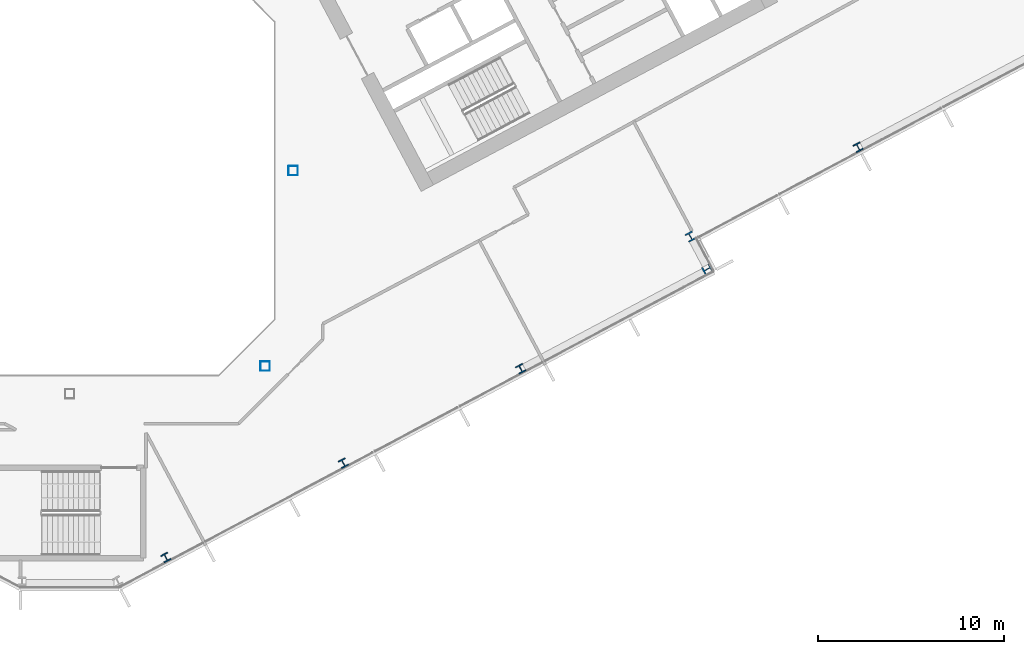
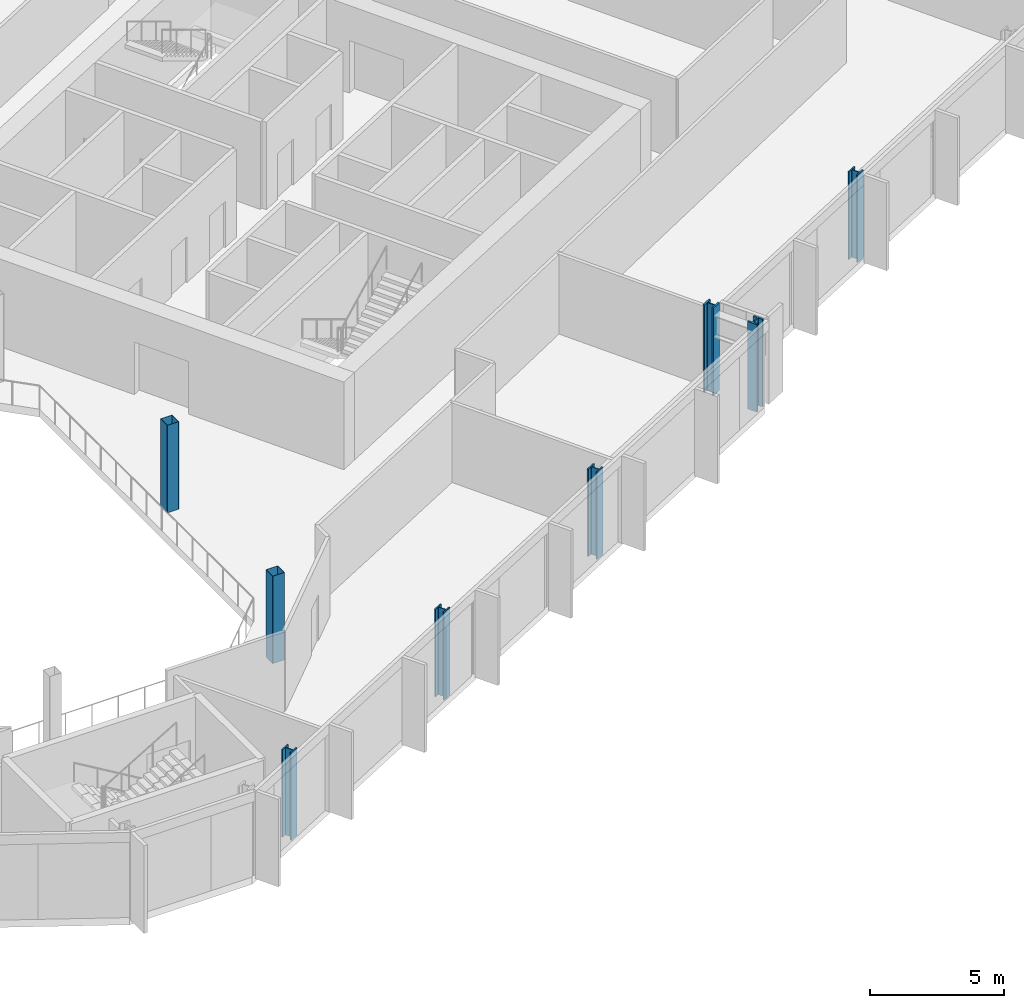
# One storey, part 5 of 28: 8 columns.
"""IFC4 building model written with IfcOpenShell, lengths in metres."""

from ifc_helpers import new_model, si_unit, direction, frame, origin, origin_2d, place, context, subcontext, project, spatial, hollow_rectangle, i_section, extrude, material, material_profile, profile_set, type_object, element, save


model = new_model("IFC4")

# Units and contexts
model_context = context("Model", 3, precision=1e-05, world=origin(), true_north=direction((0.0, 1.0)))
body_context = subcontext(model_context, "Body", "Model", "MODEL_VIEW")
ifc_project = project(units=[si_unit("LENGTHUNIT", "METRE"), si_unit("AREAUNIT", "SQUARE_METRE"), si_unit("VOLUMEUNIT", "CUBIC_METRE"), si_unit("PLANEANGLEUNIT", "RADIAN"), si_unit("MASSUNIT", "GRAM", prefix="KILO")], contexts=[model_context])

# Site, building, storey
site_placement = place(None, origin())
site = spatial("IfcSite", under=ifc_project, at=site_placement, CompositionType="ELEMENT")
building_placement = place(site_placement, origin())
building = spatial("IfcBuilding", under=site, at=building_placement, Name="Cormorant Relay Tower", CompositionType="ELEMENT")
storey_placement = place(building_placement, frame((0.0, 0.0, 166.199951171875)))
storey = spatial("IfcBuildingStorey", under=building, at=storey_placement, Name="L35", CompositionType="ELEMENT", Elevation=166.199951171875)

# Columns
ifc_material_1 = material(Name="Steel ASTM A500 Grade C (Fy 345 MPa)", Category="steel")
ifc_material_profile_1 = material_profile(ifc_material_1, hollow_rectangle(XDim=0.508056640625, YDim=0.508056640625, WallThickness=0.01171875, InnerFilletRadius=0.005859375, OuterFilletRadius=0.017822265625, at=origin_2d()), Name="HSS508x508x12")
ifc_profile_set_1 = profile_set([ifc_material_profile_1], Name="Steel ASTM A500 Grade C (Fy 345 MPa)")
column_type_1 = type_object("IfcColumnType", Name="Column HSS508x508x12", PredefinedType="COLUMN", material=ifc_profile_set_1)
for number, where, z_axis, x_axis, name in (
    (1, (10.5, -10.5, 0.0), (0.0, 0.0, 1.0), (1.0, 0.0, 0.0), "Column L35-010"),
    (2, (12.0, 0.0, 0.0), (0.0, 0.0, 1.0), (1.0, 0.0, 0.0), "Column L35-016"),
):
    element("IfcColumn", number, at=place(storey_placement, frame(where, z_axis=z_axis, x_axis=x_axis)), inside=storey, type_object=column_type_1, Name=name, PredefinedType="COLUMN", context=body_context, shape_type="SweptSolid", body=[
        extrude(hollow_rectangle(XDim=0.508056640625, YDim=0.508056640625, WallThickness=0.01171875, InnerFilletRadius=0.005859375, OuterFilletRadius=0.017822265625, at=origin_2d()), origin(), (0.0, 0.0, 1.0), 4.0),
    ])
ifc_material_2 = material(Name="Steel ASTM A992 (Fy 345 MPa)", Category="steel")
ifc_material_profile_2 = material_profile(ifc_material_2, i_section(OverallWidth=0.41162109375, OverallDepth=0.434326171875, WebThickness=0.035888671875, FlangeThickness=0.057373046875, FilletRadius=0.01513671875, at=origin_2d()), Name="W360x463")
ifc_profile_set_2 = profile_set([ifc_material_profile_2], Name="Steel ASTM A992 (Fy 345 MPa)")
column_type_2 = type_object("IfcColumnType", Name="Column W360x463", PredefinedType="COLUMN", material=ifc_profile_set_2)
for number, where, z_axis, x_axis, name in (
    (3, (5.1640625, -20.7890625, 0.0), (0.0, 0.0, 1.0), (0.882947592859, 0.469471562786, 0.0), "Column L35-003"),
    (4, (14.699951171875, -15.718994140625, 0.0), (0.0, 0.0, 1.0), (0.882947592859, 0.469471562786, 0.0), "Column L35-005"),
    (5, (24.236083984375, -10.64794921875, 0.0), (0.0, 0.0, 1.0), (0.882947592859, 0.469471562786, 0.0), "Column L35-008"),
    (6, (42.368896484375, 1.258056640625, 0.0), (0.0, 0.0, 1.0), (0.882947592859, 0.469471562786, 0.0), "Column L35-017"),
):
    element("IfcColumn", number, at=place(storey_placement, frame(where, z_axis=z_axis, x_axis=x_axis)), inside=storey, type_object=column_type_2, Name=name, PredefinedType="COLUMN", context=body_context, shape_type="SweptSolid", body=[
        extrude(i_section(OverallWidth=0.41162109375, OverallDepth=0.434326171875, WebThickness=0.035888671875, FlangeThickness=0.057373046875, FilletRadius=0.01513671875, at=origin_2d()), origin(), (0.0, 0.0, 1.0), 4.0),
    ])
ifc_material_3 = material(Name="Steel ASTM A992 (Fy 345 MPa)", Category="steel")
ifc_material_profile_3 = material_profile(ifc_material_3, i_section(OverallWidth=0.42431640625, OverallDepth=0.47509765625, WebThickness=0.0478515625, FlangeThickness=0.0771484375, FilletRadius=0.014892578125, at=origin_2d()), Name="W360x634")
ifc_profile_set_3 = profile_set([ifc_material_profile_3], Name="Steel ASTM A992 (Fy 345 MPa)")
column_type_3 = type_object("IfcColumnType", Name="Column W360x634", PredefinedType="COLUMN", material=ifc_profile_set_3)
for number, where, z_axis, x_axis, name in (
    (7, (34.256103515625, -5.297119140625, 0.0), (0.0, 0.0, 1.0), (-0.469471562786, 0.882947592859, 0.0), "Column L35-012"),
    (8, (33.35595703125, -3.54296875, 0.0), (0.0, 0.0, 1.0), (0.882947592859, 0.469471562786, 0.0), "Column L35-014"),
):
    element("IfcColumn", number, at=place(storey_placement, frame(where, z_axis=z_axis, x_axis=x_axis)), inside=storey, type_object=column_type_3, Name=name, PredefinedType="COLUMN", context=body_context, shape_type="SweptSolid", body=[
        extrude(i_section(OverallWidth=0.42431640625, OverallDepth=0.47509765625, WebThickness=0.0478515625, FlangeThickness=0.0771484375, FilletRadius=0.014892578125, at=origin_2d()), origin(), (0.0, 0.0, 1.0), 4.0),
    ])

save(model, "model.ifc")
